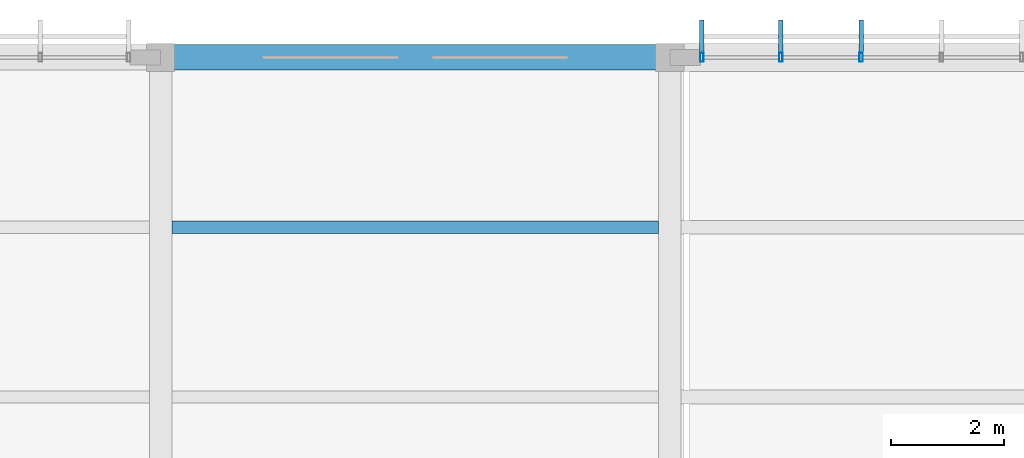
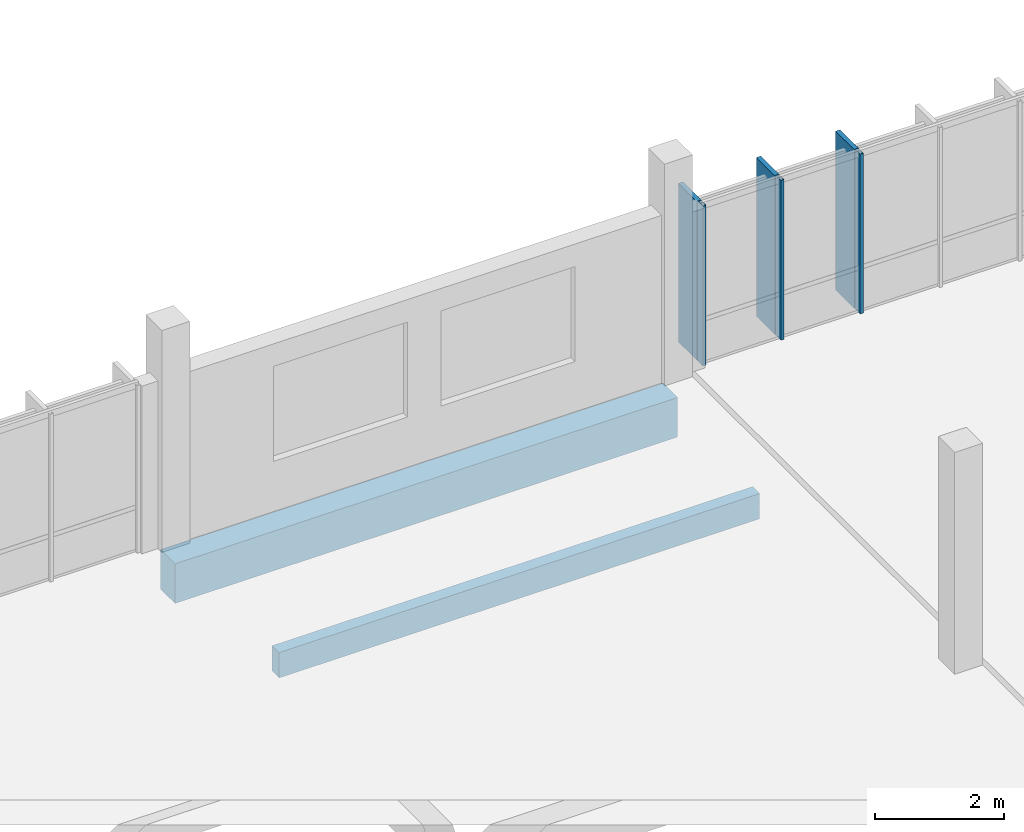
# One storey, part 135 of 182: 6 members, 2 beams, 1 element without a shape of its own.
"""IFC4 building model written with IfcOpenShell, lengths in metres."""

from ifc_helpers import new_model, si_unit, direction, frame, origin, origin_2d, place, context, subcontext, project, spatial, rectangle, hollow_rectangle, extrude, material, material_profile, profile_set, type_object, element, aggregate, save


model = new_model("IFC4")

# Units and contexts
model_context = context("Model", 3, precision=1e-05, world=origin(), true_north=direction((0.0, 1.0)))
body_context = subcontext(model_context, "Body", "Model", "MODEL_VIEW")
ifc_project = project(units=[si_unit("LENGTHUNIT", "METRE"), si_unit("AREAUNIT", "SQUARE_METRE"), si_unit("VOLUMEUNIT", "CUBIC_METRE"), si_unit("PLANEANGLEUNIT", "RADIAN"), si_unit("MASSUNIT", "GRAM", prefix="KILO")], contexts=[model_context])

# Site, building, storey
site_placement = place(None, origin())
site = spatial("IfcSite", under=ifc_project, at=site_placement, CompositionType="ELEMENT")
building_placement = place(site_placement, origin())
building = spatial("IfcBuilding", under=site, at=building_placement, Name="Chiffa Square Polytechnic", CompositionType="ELEMENT")
storey_placement = place(building_placement, frame((0.0, 0.0, 9.60009765625)))
storey = spatial("IfcBuildingStorey", under=building, at=storey_placement, Name="L02", CompositionType="ELEMENT", Elevation=9.60009765625)

# Beam
ifc_material_1 = material(Name="Concrete C35/45", Category="concrete")
ifc_material_profile_1 = material_profile(ifc_material_1, rectangle(XDim=0.449951171875, YDim=0.75, at=origin_2d()), Name="RC 450x750")
ifc_profile_set_1 = profile_set([ifc_material_profile_1], Name="Concrete C35/45")
beam_type_1 = type_object("IfcBeamType", Name="BM-RC-450X750", PredefinedType="BEAM", material=ifc_profile_set_1)
beam_1_placement = place(storey_placement, frame((102.60009765625, 130.800048828125, -0.695068359375), z_axis=(1.0, 0.0, 0.0), x_axis=(0.0, 1.0, 0.0)))
element("IfcBeam", 1, at=beam_1_placement, inside=storey, type_object=beam_type_1, Name="Primary floor girder BM-V5-L02-X-1026-1308", PredefinedType="BEAM", context=body_context, shape_type="SweptSolid", body=[
    extrude(rectangle(XDim=0.449951171875, YDim=0.75, at=origin_2d()), origin(), (0.0, 0.0, 1.0), 9.0),
])

# Curtain wall, members
ifc_material_2 = material(Name="Aluminium EN AW-6060 T66 and glulam shading", Category="wood")
curtain_wall_type = type_object("IfcCurtainWallType", Name="CW-VERT-450X380", PredefinedType="USERDEFINED", material=ifc_material_2)
curtain_wall_placement = place(storey_placement, origin())
curtain_wall = element("IfcCurtainWall", 2, at=curtain_wall_placement, inside=storey, type_object=curtain_wall_type, Name="Curtain wall CW-V5-L02-218", ObjectType="CURTAIN WALL", PredefinedType="USERDEFINED")
ifc_material_3 = material(Name="Aluminium EN AW-6060 T66", Category="aluminium")
ifc_material_profile_2 = material_profile(ifc_material_3, hollow_rectangle(XDim=0.06005859375, YDim=0.159912109375, WallThickness=0.00390625, at=origin_2d()), Name="ALU 60x160x4")
ifc_profile_set_2 = profile_set([ifc_material_profile_2], Name="Aluminium EN AW-6060 T66")
member_type_1 = type_object("IfcMemberType", Name="CWM-ALU-65X150", PredefinedType="MULLION", material=ifc_profile_set_2)
member_1_placement = place(storey_placement, frame((114.97998046875, 130.800048828125, 0.0), z_axis=(0.0, 0.0, 1.0), x_axis=(1.0, 0.0, 0.0)))
member_1 = element("IfcMember", 3, at=member_1_placement, type_object=member_type_1, Name="Curtain wall mullion CW-V5-L02-218-M04", PredefinedType="MULLION", context=body_context, shape_type="SweptSolid", body=[
    extrude(hollow_rectangle(XDim=0.06005859375, YDim=0.159912109375, WallThickness=0.00390625, at=origin_2d()), origin(), (0.0, 0.0, 1.0), 3.02490234375),
])
member_2_placement = place(storey_placement, frame((113.56005859375, 130.800048828125, 0.0), z_axis=(0.0, 0.0, 1.0), x_axis=(1.0, 0.0, 0.0)))
member_2 = element("IfcMember", 4, at=member_2_placement, type_object=member_type_1, Name="Curtain wall mullion CW-V5-L02-218-M05", PredefinedType="MULLION", context=body_context, shape_type="SweptSolid", body=[
    extrude(hollow_rectangle(XDim=0.06005859375, YDim=0.159912109375, WallThickness=0.00390625, at=origin_2d()), origin(), (0.0, 0.0, 1.0), 3.02490234375),
])
member_3_placement = place(storey_placement, frame((112.1650390625, 130.800048828125, 0.0), z_axis=(0.0, 0.0, 1.0), x_axis=(1.0, 0.0, 0.0)))
member_3 = element("IfcMember", 5, at=member_3_placement, type_object=member_type_1, Name="Curtain wall mullion CW-V5-L02-218-M06", PredefinedType="MULLION", context=body_context, shape_type="SweptSolid", body=[
    extrude(hollow_rectangle(XDim=0.06005859375, YDim=0.159912109375, WallThickness=0.00390625, at=origin_2d()), origin(), (0.0, 0.0, 1.0), 3.02490234375),
])
ifc_material_4 = material(Name="Glulam GL28h", Category="wood")
ifc_material_profile_3 = material_profile(ifc_material_4, rectangle(XDim=0.080078125, YDim=0.580078125, at=origin_2d()), Name="GL28h 80x580")
ifc_profile_set_3 = profile_set([ifc_material_profile_3], Name="Glulam GL28h")
member_type_2 = type_object("IfcMemberType", Name="CWM-GL-80X580", PredefinedType="MULLION", material=ifc_profile_set_3)
member_4_placement = place(storey_placement, frame((114.97998046875, 131.172119140625, 0.010009765625), z_axis=(0.0, 0.0, 1.0), x_axis=(-1.0, 0.0, 0.0)))
member_4 = element("IfcMember", 6, at=member_4_placement, type_object=member_type_2, Name="Exterior glulam solar fin CW-V5-L02-218-FN04", PredefinedType="MULLION", context=body_context, shape_type="SweptSolid", body=[
    extrude(rectangle(XDim=0.080078125, YDim=0.580078125, at=origin_2d()), origin(), (0.0, 0.0, 1.0), 3.0048828125),
])
member_5_placement = place(storey_placement, frame((113.56005859375, 131.172119140625, 0.010009765625), z_axis=(0.0, 0.0, 1.0), x_axis=(-1.0, 0.0, 0.0)))
member_5 = element("IfcMember", 7, at=member_5_placement, type_object=member_type_2, Name="Exterior glulam solar fin CW-V5-L02-218-FN05", PredefinedType="MULLION", context=body_context, shape_type="SweptSolid", body=[
    extrude(rectangle(XDim=0.080078125, YDim=0.580078125, at=origin_2d()), origin(), (0.0, 0.0, 1.0), 3.0048828125),
])
member_6_placement = place(storey_placement, frame((112.1650390625, 131.172119140625, 0.010009765625), z_axis=(0.0, 0.0, 1.0), x_axis=(-1.0, 0.0, 0.0)))
member_6 = element("IfcMember", 8, at=member_6_placement, type_object=member_type_2, Name="Exterior glulam solar fin CW-V5-L02-218-FN06", PredefinedType="MULLION", context=body_context, shape_type="SweptSolid", body=[
    extrude(rectangle(XDim=0.080078125, YDim=0.580078125, at=origin_2d()), origin(), (0.0, 0.0, 1.0), 3.0048828125),
])
aggregate(curtain_wall, [member_1, member_4, member_2, member_5, member_3, member_6])

# Beam
ifc_material_profile_4 = material_profile(ifc_material_4, rectangle(XDim=0.219970703125, YDim=0.47998046875, at=origin_2d()), Name="GL28h 220x480")
ifc_profile_set_4 = profile_set([ifc_material_profile_4], Name="Glulam GL28h")
beam_type_2 = type_object("IfcBeamType", Name="JST-GL-220X480", PredefinedType="JOIST", material=ifc_profile_set_4)
beam_2_placement = place(storey_placement, frame((102.798095703125, 127.800048828125, -0.56005859375), z_axis=(1.0, 0.0, 0.0), x_axis=(0.0, 1.0, 0.0)))
element("IfcBeam", 9, at=beam_2_placement, inside=storey, type_object=beam_type_2, Name="Secondary floor joist JST-V5-L02-1026-1278", PredefinedType="JOIST", context=body_context, shape_type="SweptSolid", body=[
    extrude(rectangle(XDim=0.219970703125, YDim=0.47998046875, at=origin_2d()), origin(), (0.0, 0.0, 1.0), 8.60400390625),
])

save(model, "model.ifc")
